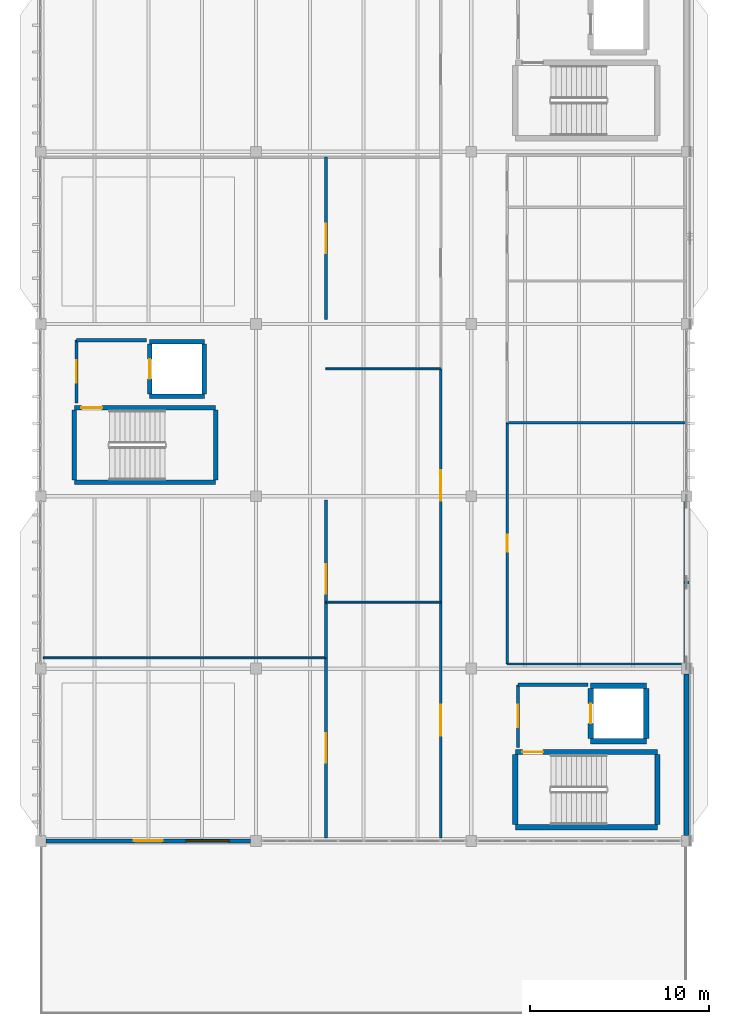
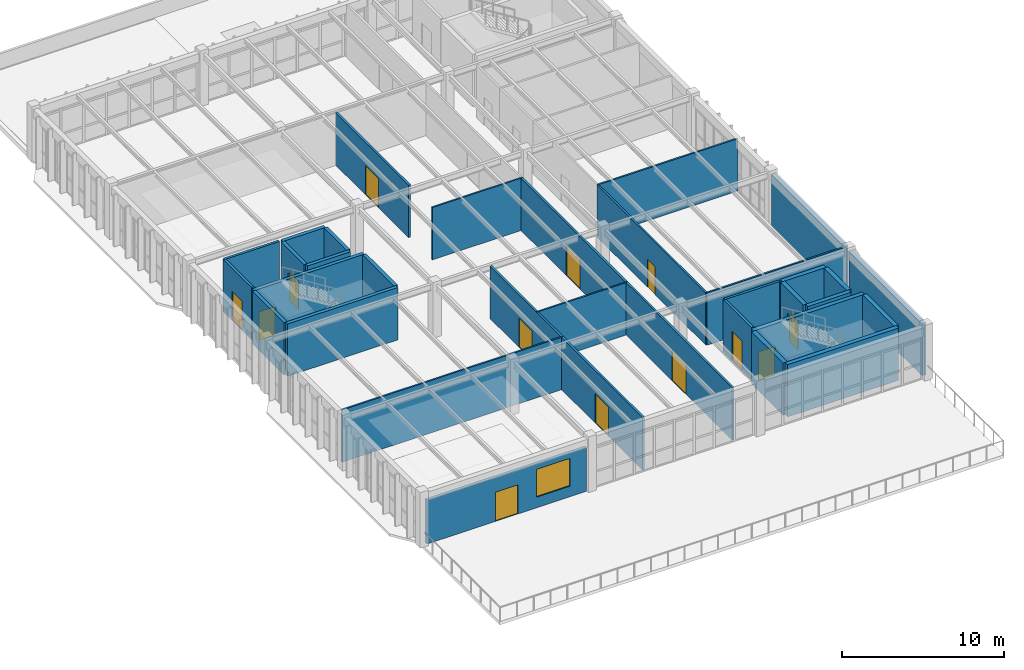
# One storey, part 32 of 37: 34 walls, 13 doors, 1 window, 14 openings.
"""IFC4 building model written with IfcOpenShell, lengths in metres."""

import ifcopenshell
import ifcopenshell.guid

model = None  # the IFC model being written
_history = None  # IfcOwnerHistory: only IFC2X3 demands one
_inside = {}  # id of a spatial element -> (the spatial element, [elements in it])
_under = {}  # id of a project, library or spatial element -> (it, [spatial elements below it])
_declared = {}  # id of a project -> (the project, [libraries it declares])
_typed = {}  # id of a type object -> (the type object, [elements of that type])
_made_of = {}  # id of a material, layer set ... -> (it, [elements and type objects made of it])


def new_model(schema):
    """Start an empty IFC model of exactly this schema.

    Asked for "IFC4X3", IfcOpenShell would pick the latest addendum, in which some entities
    have other attributes; the version numbers below select the first issue.
    IFC2X3 requires an IfcOwnerHistory on every rooted entity: one is made here for all.
    """
    global model, _history
    if schema == "IFC4X3":
        model = ifcopenshell.file(schema_version=(4, 3, 0, 0))
    else:
        model = ifcopenshell.file(schema=schema)
    _inside.clear()
    _under.clear()
    _declared.clear()
    _typed.clear()
    _made_of.clear()
    _history = None
    if model.schema == "IFC2X3":
        org = make("IfcOrganization", Name="unknown")
        user = make(
            "IfcPersonAndOrganization",
            ThePerson=make("IfcPerson", FamilyName="unknown"),
            TheOrganization=org,
        )
        app = make(
            "IfcApplication",
            ApplicationDeveloper=org,
            Version="unknown",
            ApplicationFullName="unknown",
            ApplicationIdentifier="unknown",
        )
        _history = make(
            "IfcOwnerHistory",
            OwningUser=user,
            OwningApplication=app,
            ChangeAction="ADDED",
            CreationDate=0,
        )
    return model


def make(cls, **values):
    """One entity of the class cls with the attributes given. An attribute that is None is left unset."""
    return model.create_entity(
        cls, **{name: value for name, value in values.items() if value is not None}
    )


def rooted(cls, **values):
    """An entity with a GlobalId (a new one), such as an element, a storey or a relation."""
    return make(cls, GlobalId=ifcopenshell.guid.new(), OwnerHistory=_history, **values)


def si_unit(unit_type, name, prefix=None):
    """IfcSIUnit, for example si_unit("LENGTHUNIT", "METRE", prefix="MILLI")."""
    return make("IfcSIUnit", UnitType=unit_type, Prefix=prefix, Name=name)


def assignment(units):
    """IfcUnitAssignment: the units of a project."""
    return None if units is None else make("IfcUnitAssignment", Units=units)


def point(xyz):
    """IfcCartesianPoint."""
    return None if xyz is None else make("IfcCartesianPoint", Coordinates=xyz)


def direction(xyz):
    """IfcDirection."""
    return None if xyz is None else make("IfcDirection", DirectionRatios=xyz)


def frame(location, z_axis=None, x_axis=None):
    """IfcAxis2Placement3D, a coordinate frame: its origin and axes. An axis left out is left unset."""
    return make(
        "IfcAxis2Placement3D",
        Location=point(location),
        Axis=direction(z_axis),
        RefDirection=direction(x_axis),
    )


def frame_2d(location, x_axis=None):
    """IfcAxis2Placement2D, a coordinate frame in the plane: its origin and x axis."""
    return make(
        "IfcAxis2Placement2D", Location=point(location), RefDirection=direction(x_axis)
    )


def origin():
    """The frame at (0, 0, 0) with its axes left unset."""
    return frame((0.0, 0.0, 0.0))


def place(relative_to, where):
    """IfcLocalPlacement: puts the frame where relative to a parent placement (None: the world)."""
    return make(
        "IfcLocalPlacement", PlacementRelTo=relative_to, RelativePlacement=where
    )


def context(
    kind, dimensions, precision=None, world=None, true_north=None, identifier=None
):
    """IfcGeometricRepresentationContext, for example the 3D "Model" context."""
    return make(
        "IfcGeometricRepresentationContext",
        ContextIdentifier=identifier,
        ContextType=kind,
        CoordinateSpaceDimension=dimensions,
        Precision=precision,
        WorldCoordinateSystem=world,
        TrueNorth=true_north,
    )


def subcontext(parent, identifier, kind, view, scale=None):
    """IfcGeometricRepresentationSubContext, for example "Body" below "Model"."""
    return make(
        "IfcGeometricRepresentationSubContext",
        ContextIdentifier=identifier,
        ContextType=kind,
        ParentContext=parent,
        TargetScale=scale,
        TargetView=view,
    )


def project(units=None, contexts=None):
    """IfcProject with its units and contexts."""
    return rooted(
        "IfcProject",
        Name="project",
        RepresentationContexts=contexts,
        UnitsInContext=assignment(units),
    )


def spatial(cls, under=None, at=None, **own):
    """A site, building, storey or space (cls), placed at a placement, below another one or the project."""
    s = rooted(cls, ObjectPlacement=at, **own)
    if under is not None:
        _under.setdefault(under.id(), (under, []))[1].append(s)
    return s


def profile(cls, at=None, kind="AREA", **sizes):
    """A parametric profile (cls). Its sizes go by their IFC names, for example OverallWidth=200.0."""
    return make(cls, ProfileType=kind, Position=at, **sizes)


def rectangle(**sizes):
    """IfcRectangleProfileDef."""
    return profile("IfcRectangleProfileDef", **sizes)


def extrude(swept, where, along, depth):
    """IfcExtrudedAreaSolid: the profile swept, set in the frame where, extruded along a direction by depth."""
    return make(
        "IfcExtrudedAreaSolid",
        SweptArea=swept,
        Position=where,
        ExtrudedDirection=direction(along),
        Depth=depth,
    )


def shape(context_of_items, identifier, shape_type, items):
    """IfcShapeRepresentation: the items that make up one representation, for example the "Body"."""
    return make(
        "IfcShapeRepresentation",
        ContextOfItems=context_of_items,
        RepresentationIdentifier=identifier,
        RepresentationType=shape_type,
        Items=items,
    )


def material(Name=None, Category=None):
    """IfcMaterial."""
    return make("IfcMaterial", Name=Name, Category=Category)


def layer(
    of_material, thickness, ventilated=None, Name=None, Category=None, Priority=None
):
    """IfcMaterialLayer: one layer of a wall or slab, of a material (None: an air gap)."""
    return make(
        "IfcMaterialLayer",
        Material=of_material,
        LayerThickness=thickness,
        IsVentilated=ventilated,
        Name=Name,
        Category=Category,
        Priority=Priority,
    )


def layer_set(layers, Name=None):
    """IfcMaterialLayerSet."""
    return make("IfcMaterialLayerSet", MaterialLayers=layers, LayerSetName=Name)


def made_of(thing, what):
    """Note that an element or type object is made of a material, layer set ...; save() writes the relation."""
    if what is not None:
        _made_of.setdefault(what.id(), (what, []))[1].append(thing)
    return thing


def type_object(cls, material=None, **own):
    """A type object (cls), such as IfcWallType, which elements share."""
    return made_of(rooted(cls, **own), material)


def element(
    cls,
    number,
    at=None,
    inside=None,
    cuts=None,
    type_object=None,
    material=None,
    context=None,
    identifier="Body",
    shape_type=None,
    held_by="IfcProductDefinitionShape",
    body=None,
    shapes=None,
    **own,
):
    """One element of the class cls, such as IfcWall. Its Tag is "e" and its number.

    at: its placement. inside: the storey or other place that contains it. cuts: it is an
    opening in that element (IfcRelVoidsElement). A single representation is given by context,
    identifier, shape_type and body (its items); several are given by shapes. held_by: the class
    of the entity that holds the representations. save() writes the other relations.
    """
    e = rooted(cls, Tag="e%d" % number, ObjectPlacement=at, **own)
    if body is not None:
        shapes = [shape(context, identifier, shape_type, body)]
    if shapes is not None:
        e.Representation = make(held_by, Representations=shapes)
    if inside is not None:
        _inside.setdefault(inside.id(), (inside, []))[1].append(e)
    if cuts is not None:
        rooted(
            "IfcRelVoidsElement", RelatingBuildingElement=cuts, RelatedOpeningElement=e
        )
    if type_object is not None:
        _typed.setdefault(type_object.id(), (type_object, []))[1].append(e)
    return made_of(e, material)


def fill(opening, filler):
    """IfcRelFillsElement: the door or window that sits in an opening."""
    return rooted(
        "IfcRelFillsElement",
        RelatingOpeningElement=opening,
        RelatedBuildingElement=filler,
    )


def aggregate(whole, parts):
    """IfcRelAggregates: a whole, such as a stair, and the parts it consists of."""
    return rooted("IfcRelAggregates", RelatingObject=whole, RelatedObjects=parts)


def save(model, path):
    """Write the relations noted so far, then the file.

    IfcRelAggregates (storeys below a building ...), IfcRelContainedInSpatialStructure (elements
    in a storey), IfcRelDefinesByType, IfcRelAssociatesMaterial and IfcRelDeclares: one each for
    every whole, place, type object, material and project.
    """
    for whole, parts in _under.values():
        aggregate(whole, parts)
    for where, things in _inside.values():
        rooted(
            "IfcRelContainedInSpatialStructure",
            RelatedElements=things,
            RelatingStructure=where,
        )
    for kind, things in _typed.values():
        rooted("IfcRelDefinesByType", RelatedObjects=things, RelatingType=kind)
    for what, things in _made_of.values():
        rooted("IfcRelAssociatesMaterial", RelatedObjects=things, RelatingMaterial=what)
    for by, libraries in _declared.values():
        rooted("IfcRelDeclares", RelatingContext=by, RelatedDefinitions=libraries)
    model.write(path)


model = new_model("IFC4")

# Units and contexts
model_context = context("Model", 3, precision=1e-05, world=origin(), true_north=direction((0.0, 1.0)))
body_context = subcontext(model_context, "Body", "Model", "MODEL_VIEW")
ifc_project = project(units=[si_unit("LENGTHUNIT", "METRE"), si_unit("AREAUNIT", "SQUARE_METRE"), si_unit("VOLUMEUNIT", "CUBIC_METRE"), si_unit("PLANEANGLEUNIT", "RADIAN"), si_unit("MASSUNIT", "GRAM", prefix="KILO")], contexts=[model_context])

# Site, building, storey
site_placement = place(None, origin())
site = spatial("IfcSite", under=ifc_project, at=site_placement, CompositionType="ELEMENT")
building_placement = place(site_placement, origin())
building = spatial("IfcBuilding", under=site, at=building_placement, Name="Pandanus Reach Market Hall", CompositionType="ELEMENT")
storey_placement = place(building_placement, frame((0.0, 0.0, 14.39990234375)))
storey = spatial("IfcBuildingStorey", under=building, at=storey_placement, Name="L03", CompositionType="ELEMENT", Elevation=14.39990234375)

# Wall
ifc_material_1 = material(Name="Concrete N40 (40 MPa)", Category="concrete")
ifc_layer_1 = layer(ifc_material_1, 0.25, Name="WL-CORE-250")
ifc_layer_set_1 = layer_set([ifc_layer_1], Name="Concrete N40 (40 MPa)")
wall_type_1 = type_object("IfcWallType", Name="WL-CORE-250", PredefinedType="SHEAR", material=ifc_layer_set_1)
wall_1_placement = place(storey_placement, frame((145.875, 48.77490234375, 0.0), z_axis=(0.0, 0.0, 1.0), x_axis=(1.0, 0.0, 0.0)))
element("IfcWall", 1, at=wall_1_placement, inside=storey, type_object=wall_type_1, Name="Internal wall WL-CORE-250 WL-0310", PredefinedType="SHEAR", context=body_context, shape_type="SweptSolid", body=[
    extrude(rectangle(XDim=7.8701171875, YDim=0.25, at=frame_2d((3.93505859375, 0.0))), origin(), (0.0, 0.0, 1.0), 3.9501953125),
])

# Wall, opening, door
wall_2_placement = place(storey_placement, frame((145.875, 52.925048828125, 0.0), z_axis=(0.0, 0.0, 1.0), x_axis=(1.0, 0.0, 0.0)))
wall_2 = element("IfcWall", 2, at=wall_2_placement, inside=storey, type_object=wall_type_1, Name="Internal wall WL-CORE-250 WL-0311", PredefinedType="SHEAR", context=body_context, shape_type="SweptSolid", body=[
    extrude(rectangle(XDim=7.8701171875, YDim=0.25, at=frame_2d((3.93505859375, 0.0))), origin(), (0.0, 0.0, 1.0), 3.9501953125),
])
opening_1_placement = place(wall_2_placement, frame((0.39990234375, 0.0, 0.0)))
opening_1 = element("IfcOpeningElement", 3, at=opening_1_placement, cuts=wall_2, Name="Opening DR-FD1", PredefinedType="OPENING", context=body_context, shape_type="SweptSolid", body=[
    extrude(rectangle(XDim=1.14990234375, YDim=2.14990234375, at=frame_2d((0.574951171875, 1.074951171875))), frame((0.0, 0.139892578125, 0.0), z_axis=(0.0, -1.0, 0.0), x_axis=(1.0, 0.0, 0.0)), (0.0, 0.0, 1.0), 0.280029296875),
])
ifc_material_2 = material(Name="Fire-rated steel door", Category="steel")
door_type_1 = type_object("IfcDoorType", Name="DR-FD1", OperationType="NOTDEFINED", PredefinedType="DOOR", material=ifc_material_2)
door_1_placement = place(opening_1_placement, frame((1.14990234375, 0.0, 0.0), z_axis=(0.0, 0.0, 1.0), x_axis=(-1.0, 0.0, 0.0)))
door_1 = element("IfcDoor", 4, at=door_1_placement, inside=storey, type_object=door_type_1, Name="Fire stair door ST-03 L03", OperationType="SINGLE_SWING_RIGHT", OverallHeight=2.14990234375, OverallWidth=1.14990234375, PredefinedType="DOOR", context=body_context, shape_type="SweptSolid", body=[
    extrude(rectangle(XDim=1.14990234375, YDim=2.14990234375, at=frame_2d((0.574951171875, 1.074951171875))), frame((0.0, 0.02490234375, 0.0), z_axis=(0.0, -1.0, 0.0), x_axis=(1.0, 0.0, 0.0)), (0.0, 0.0, 1.0), 0.050048828125),
])
fill(opening_1, door_1)

# Walls
for number, where, z_axis, x_axis, name in (
    (5, (145.875, 48.89990234375, 0.0), (0.0, 0.0, 1.0), (0.0, 1.0, 0.0), "Internal wall WL-CORE-250 WL-0312"),
    (6, (153.7451171875, 48.89990234375, 0.0), (0.0, 0.0, 1.0), (0.0, 1.0, 0.0), "Internal wall WL-CORE-250 WL-0313"),
):
    element("IfcWall", number, at=place(storey_placement, frame(where, z_axis=z_axis, x_axis=x_axis)), inside=storey, type_object=wall_type_1, Name=name, PredefinedType="SHEAR", context=body_context, shape_type="SweptSolid", body=[
        extrude(rectangle(XDim=3.900146484375, YDim=0.25, at=frame_2d((1.9501953125, 0.0))), origin(), (0.0, 0.0, 1.0), 3.9501953125),
    ])
for number, where, z_axis, x_axis, name in (
    (7, (150.074951171875, 53.574951171875, 0.0), (0.0, 0.0, 1.0), (1.0, 0.0, 0.0), "Internal wall WL-CORE-250 WL-0314"),
    (8, (150.074951171875, 56.625, 0.0), (0.0, 0.0, 1.0), (1.0, 0.0, 0.0), "Internal wall WL-CORE-250 WL-0315"),
):
    element("IfcWall", number, at=place(storey_placement, frame(where, z_axis=z_axis, x_axis=x_axis)), inside=storey, type_object=wall_type_1, Name=name, PredefinedType="SHEAR", context=body_context, shape_type="SweptSolid", body=[
        extrude(rectangle(XDim=3.050048828125, YDim=0.25, at=frame_2d((1.52490234375, 0.0))), origin(), (0.0, 0.0, 1.0), 3.9501953125),
    ])
wall_3_placement = place(storey_placement, frame((153.125, 53.699951171875, 0.0), z_axis=(0.0, 0.0, 1.0), x_axis=(0.0, 1.0, 0.0)))
element("IfcWall", 9, at=wall_3_placement, inside=storey, type_object=wall_type_1, Name="Internal wall WL-CORE-250 WL-0316", PredefinedType="SHEAR", context=body_context, shape_type="SweptSolid", body=[
    extrude(rectangle(XDim=2.800048828125, YDim=0.25, at=frame_2d((1.39990234375, 0.0))), origin(), (0.0, 0.0, 1.0), 3.9501953125),
])

# Wall, opening, door
wall_4_placement = place(storey_placement, frame((150.074951171875, 53.699951171875, 0.0), z_axis=(0.0, 0.0, 1.0), x_axis=(0.0, 1.0, 0.0)))
wall_4 = element("IfcWall", 10, at=wall_4_placement, inside=storey, type_object=wall_type_1, Name="Internal wall WL-CORE-250 WL-0317", PredefinedType="SHEAR", context=body_context, shape_type="SweptSolid", body=[
    extrude(rectangle(XDim=2.800048828125, YDim=0.25, at=frame_2d((1.39990234375, 0.0))), origin(), (0.0, 0.0, 1.0), 3.9501953125),
])
opening_2_placement = place(wall_4_placement, frame((0.85009765625, 0.0, 0.0)))
opening_2 = element("IfcOpeningElement", 11, at=opening_2_placement, cuts=wall_4, Name="Opening LD-01", PredefinedType="OPENING", context=body_context, shape_type="SweptSolid", body=[
    extrude(rectangle(XDim=1.10009765625, YDim=2.14990234375, at=frame_2d((0.550048828125, 1.074951171875))), frame((0.0, 0.139892578125, 0.0), z_axis=(0.0, -1.0, 0.0), x_axis=(1.0, 0.0, 0.0)), (0.0, 0.0, 1.0), 0.280029296875),
])
ifc_material_3 = material(Name="Stainless steel lift landing door", Category="steel")
door_type_2 = type_object("IfcDoorType", Name="LD-01", OperationType="SLIDING_TO_LEFT", PredefinedType="DOOR", material=ifc_material_3)
door_2_placement = place(opening_2_placement, origin())
door_2 = element("IfcDoor", 12, at=door_2_placement, inside=storey, type_object=door_type_2, Name="Lift landing door LF-03 LD-01 51", OperationType="SLIDING_TO_LEFT", OverallHeight=2.14990234375, OverallWidth=1.10009765625, PredefinedType="DOOR", context=body_context, shape_type="SweptSolid", body=[
    extrude(rectangle(XDim=1.10009765625, YDim=2.14990234375, at=frame_2d((0.550048828125, 1.074951171875))), frame((0.0, 0.02490234375, 0.0), z_axis=(0.0, -1.0, 0.0), x_axis=(1.0, 0.0, 0.0)), (0.0, 0.0, 1.0), 0.050048828125),
])
fill(opening_2, door_2)

# Wall
ifc_layer_2 = layer(ifc_material_1, 0.300048828125, Name="WL-CORE-300")
ifc_layer_set_2 = layer_set([ifc_layer_2], Name="Concrete N40 (40 MPa)")
wall_type_2 = type_object("IfcWallType", Name="WL-CORE-300", PredefinedType="SHEAR", material=ifc_layer_set_2)
wall_5_placement = place(storey_placement, frame((170.449951171875, 29.550048828125, 0.0), z_axis=(0.0, 0.0, 1.0), x_axis=(1.0, 0.0, 0.0)))
element("IfcWall", 13, at=wall_5_placement, inside=storey, type_object=wall_type_2, Name="Internal wall WL-CORE-300 WL-0190", PredefinedType="SHEAR", context=body_context, shape_type="SweptSolid", body=[
    extrude(rectangle(XDim=7.920166015625, YDim=0.300048828125, at=frame_2d((3.9599609375, 0.0))), origin(), (0.0, 0.0, 1.0), 3.9501953125),
])

# Wall, opening, door
wall_6_placement = place(storey_placement, frame((170.449951171875, 33.75, 0.0), z_axis=(0.0, 0.0, 1.0), x_axis=(1.0, 0.0, 0.0)))
wall_6 = element("IfcWall", 14, at=wall_6_placement, inside=storey, type_object=wall_type_2, Name="Internal wall WL-CORE-300 WL-0191", PredefinedType="SHEAR", context=body_context, shape_type="SweptSolid", body=[
    extrude(rectangle(XDim=7.920166015625, YDim=0.300048828125, at=frame_2d((3.9599609375, 0.0))), origin(), (0.0, 0.0, 1.0), 3.9501953125),
])
opening_3_placement = place(wall_6_placement, frame((0.39990234375, 0.0, 0.0)))
opening_3 = element("IfcOpeningElement", 15, at=opening_3_placement, cuts=wall_6, Name="Opening DR-FD1", PredefinedType="OPENING", context=body_context, shape_type="SweptSolid", body=[
    extrude(rectangle(XDim=1.14990234375, YDim=2.14990234375, at=frame_2d((0.574951171875, 1.074951171875))), frame((0.0, 0.1650390625, 0.0), z_axis=(0.0, -1.0, 0.0), x_axis=(1.0, 0.0, 0.0)), (0.0, 0.0, 1.0), 0.330078125),
])
door_3_placement = place(opening_3_placement, frame((1.14990234375, 0.0, 0.0), z_axis=(0.0, 0.0, 1.0), x_axis=(-1.0, 0.0, 0.0)))
door_3 = element("IfcDoor", 16, at=door_3_placement, inside=storey, type_object=door_type_1, Name="Fire stair door ST-01 L03", OperationType="SINGLE_SWING_RIGHT", OverallHeight=2.14990234375, OverallWidth=1.14990234375, PredefinedType="DOOR", context=body_context, shape_type="SweptSolid", body=[
    extrude(rectangle(XDim=1.14990234375, YDim=2.14990234375, at=frame_2d((0.574951171875, 1.074951171875))), frame((0.0, 0.02490234375, 0.0), z_axis=(0.0, -1.0, 0.0), x_axis=(1.0, 0.0, 0.0)), (0.0, 0.0, 1.0), 0.050048828125),
])
fill(opening_3, door_3)

# Walls
for number, where, z_axis, x_axis, name in (
    (17, (170.449951171875, 29.699951171875, 0.0), (0.0, 0.0, 1.0), (0.0, 1.0, 0.0), "Internal wall WL-CORE-300 WL-0192"),
    (18, (178.3701171875, 29.699951171875, 0.0), (0.0, 0.0, 1.0), (0.0, 1.0, 0.0), "Internal wall WL-CORE-300 WL-0193"),
):
    element("IfcWall", number, at=place(storey_placement, frame(where, z_axis=z_axis, x_axis=x_axis)), inside=storey, type_object=wall_type_2, Name=name, PredefinedType="SHEAR", context=body_context, shape_type="SweptSolid", body=[
        extrude(rectangle(XDim=3.900146484375, YDim=0.300048828125, at=frame_2d((1.9501953125, 0.0))), origin(), (0.0, 0.0, 1.0), 3.9501953125),
    ])
for number, where, z_axis, x_axis, name in (
    (19, (174.64990234375, 34.35009765625, 0.0), (0.0, 0.0, 1.0), (1.0, 0.0, 0.0), "Internal wall WL-CORE-300 WL-0194"),
    (20, (174.64990234375, 37.449951171875, 0.0), (0.0, 0.0, 1.0), (1.0, 0.0, 0.0), "Internal wall WL-CORE-300 WL-0195"),
):
    element("IfcWall", number, at=place(storey_placement, frame(where, z_axis=z_axis, x_axis=x_axis)), inside=storey, type_object=wall_type_2, Name=name, PredefinedType="SHEAR", context=body_context, shape_type="SweptSolid", body=[
        extrude(rectangle(XDim=3.10009765625, YDim=0.300048828125, at=frame_2d((1.550048828125, 0.0))), origin(), (0.0, 0.0, 1.0), 3.9501953125),
    ])
wall_7_placement = place(storey_placement, frame((177.75, 34.5, 0.0), z_axis=(0.0, 0.0, 1.0), x_axis=(0.0, 1.0, 0.0)))
element("IfcWall", 21, at=wall_7_placement, inside=storey, type_object=wall_type_2, Name="Internal wall WL-CORE-300 WL-0196", PredefinedType="SHEAR", context=body_context, shape_type="SweptSolid", body=[
    extrude(rectangle(XDim=2.800048828125, YDim=0.300048828125, at=frame_2d((1.39990234375, 0.0))), origin(), (0.0, 0.0, 1.0), 3.9501953125),
])

# Wall, opening, door
wall_8_placement = place(storey_placement, frame((174.64990234375, 34.5, 0.0), z_axis=(0.0, 0.0, 1.0), x_axis=(0.0, 1.0, 0.0)))
wall_8 = element("IfcWall", 22, at=wall_8_placement, inside=storey, type_object=wall_type_2, Name="Internal wall WL-CORE-300 WL-0197", PredefinedType="SHEAR", context=body_context, shape_type="SweptSolid", body=[
    extrude(rectangle(XDim=2.800048828125, YDim=0.300048828125, at=frame_2d((1.39990234375, 0.0))), origin(), (0.0, 0.0, 1.0), 3.9501953125),
])
opening_4_placement = place(wall_8_placement, frame((0.85009765625, 0.0, 0.0)))
opening_4 = element("IfcOpeningElement", 23, at=opening_4_placement, cuts=wall_8, Name="Opening LD-01", PredefinedType="OPENING", context=body_context, shape_type="SweptSolid", body=[
    extrude(rectangle(XDim=1.10009765625, YDim=2.14990234375, at=frame_2d((0.550048828125, 1.074951171875))), frame((0.0, 0.1650390625, 0.0), z_axis=(0.0, -1.0, 0.0), x_axis=(1.0, 0.0, 0.0)), (0.0, 0.0, 1.0), 0.330078125),
])
door_4_placement = place(opening_4_placement, origin())
door_4 = element("IfcDoor", 24, at=door_4_placement, inside=storey, type_object=door_type_2, Name="Lift landing door LF-01 LD-01 15", OperationType="SLIDING_TO_LEFT", OverallHeight=2.14990234375, OverallWidth=1.10009765625, PredefinedType="DOOR", context=body_context, shape_type="SweptSolid", body=[
    extrude(rectangle(XDim=1.10009765625, YDim=2.14990234375, at=frame_2d((0.550048828125, 1.074951171875))), frame((0.0, 0.02490234375, 0.0), z_axis=(0.0, -1.0, 0.0), x_axis=(1.0, 0.0, 0.0)), (0.0, 0.0, 1.0), 0.050048828125),
])
fill(opening_4, door_4)

# Wall, openings, door, window
ifc_material_4 = material(Name="Precast concrete S50 (50 MPa)", Category="concrete")
ifc_layer_3 = layer(ifc_material_4, 0.219970703125, Name="WL-EXT-220")
ifc_layer_set_3 = layer_set([ifc_layer_3], Name="Precast concrete S50 (50 MPa)")
wall_type_3 = type_object("IfcWallType", Name="WL-EXT-220", PredefinedType="SOLIDWALL", material=ifc_layer_set_3)
wall_9_placement = place(storey_placement, frame((144.300048828125, 28.800048828125, 0.0), z_axis=(0.0, 0.0, 1.0), x_axis=(1.0, 0.0, 0.0)))
wall_9 = element("IfcWall", 25, at=wall_9_placement, inside=storey, type_object=wall_type_3, Name="External wall WL-EXT-220 WL-0104", PredefinedType="SOLIDWALL", context=body_context, shape_type="SweptSolid", body=[
    extrude(rectangle(XDim=11.39990234375, YDim=0.219970703125, at=frame_2d((5.699951171875, 0.0))), origin(), (0.0, 0.0, 1.0), 3.301025390625),
])
opening_5_placement = place(wall_9_placement, frame((4.89990234375, 0.0, 0.0)))
opening_5 = element("IfcOpeningElement", 26, at=opening_5_placement, cuts=wall_9, Name="Opening TD-160", PredefinedType="OPENING", context=body_context, shape_type="SweptSolid", body=[
    extrude(rectangle(XDim=1.60009765625, YDim=2.199951171875, at=frame_2d((0.800048828125, 1.10009765625))), frame((0.0, 0.125, 0.0), z_axis=(0.0, -1.0, 0.0), x_axis=(1.0, 0.0, 0.0)), (0.0, 0.0, 1.0), 0.25),
])
opening_6_placement = place(wall_9_placement, frame((7.800048828125, 0.0, 0.800048828125)))
opening_6 = element("IfcOpeningElement", 27, at=opening_6_placement, cuts=wall_9, Name="Opening WN-12", PredefinedType="OPENING", context=body_context, shape_type="SweptSolid", body=[
    extrude(rectangle(XDim=2.39990234375, YDim=2.10009765625, at=frame_2d((1.199951171875, 1.050048828125))), frame((0.0, 0.125, 0.0), z_axis=(0.0, -1.0, 0.0), x_axis=(1.0, 0.0, 0.0)), (0.0, 0.0, 1.0), 0.25),
])
ifc_material_5 = material(Name="Bronze anodised aluminium", Category="aluminium")
door_type_3 = type_object("IfcDoorType", Name="TD-160", OperationType="DOUBLE_DOOR_SINGLE_SWING", PredefinedType="DOOR", material=ifc_material_5)
door_5_placement = place(opening_5_placement, frame((1.60009765625, 0.0, 0.0), z_axis=(0.0, 0.0, 1.0), x_axis=(-1.0, 0.0, 0.0)))
door_5 = element("IfcDoor", 28, at=door_5_placement, inside=storey, type_object=door_type_3, Name="Roof garden terrace door L03 TD-160 36", OperationType="DOUBLE_DOOR_SINGLE_SWING", OverallHeight=2.199951171875, OverallWidth=1.60009765625, PredefinedType="DOOR", context=body_context, shape_type="SweptSolid", body=[
    extrude(rectangle(XDim=1.60009765625, YDim=2.199951171875, at=frame_2d((0.800048828125, 1.10009765625))), frame((0.0, 0.02490234375, 0.0), z_axis=(0.0, -1.0, 0.0), x_axis=(1.0, 0.0, 0.0)), (0.0, 0.0, 1.0), 0.050048828125),
])
fill(opening_5, door_5)
ifc_material_6 = material(Name="Solar-control double glazing", Category="glass")
window_type = type_object("IfcWindowType", Name="WN-12", PartitioningType="SINGLE_PANEL", PredefinedType="WINDOW", material=ifc_material_6)
window_placement = place(opening_6_placement, origin())
window = element("IfcWindow", 29, at=window_placement, inside=storey, type_object=window_type, Name="Window WN-12 51", OverallHeight=2.10009765625, OverallWidth=2.39990234375, PartitioningType="SINGLE_PANEL", PredefinedType="WINDOW", context=body_context, shape_type="SweptSolid", body=[
    extrude(rectangle(XDim=2.39990234375, YDim=2.10009765625, at=frame_2d((1.199951171875, 1.050048828125))), frame((0.0, 0.030029296875, 0.0), z_axis=(0.0, -1.0, 0.0), x_axis=(1.0, 0.0, 0.0)), (0.0, 0.0, 1.0), 0.06005859375),
])
fill(opening_6, window)

# Walls
ifc_layer_4 = layer(ifc_material_4, 0.280029296875, Name="WL-EXT-280")
ifc_layer_set_4 = layer_set([ifc_layer_4], Name="Precast concrete S50 (50 MPa)")
wall_type_4 = type_object("IfcWallType", Name="WL-EXT-280", PredefinedType="SOLIDWALL", material=ifc_layer_set_4)
for number, where, z_axis, x_axis, name in (
    (30, (180.0, 29.10009765625, 0.0), (0.0, 0.0, 1.0), (0.0, 1.0, 0.0), "External wall WL-EXT-280 WL-0105"),
    (31, (180.0, 38.699951171875, 0.0), (0.0, 0.0, 1.0), (0.0, 1.0, 0.0), "External wall WL-EXT-280 WL-0106"),
):
    element("IfcWall", number, at=place(storey_placement, frame(where, z_axis=z_axis, x_axis=x_axis)), inside=storey, type_object=wall_type_4, Name=name, PredefinedType="SOLIDWALL", context=body_context, shape_type="SweptSolid", body=[
        extrude(rectangle(XDim=9.0, YDim=0.280029296875, at=frame_2d((4.5, 0.0))), origin(), (0.0, 0.0, 1.0), 3.900146484375),
    ])

# Wall, opening, door
ifc_layer_5 = layer(ifc_material_1, 0.175048828125, Name="WL-LOB-175")
ifc_layer_set_5 = layer_set([ifc_layer_5], Name="Concrete N40 (40 MPa)")
wall_type_5 = type_object("IfcWallType", Name="WL-LOB-175", PredefinedType="PARTITIONING", material=ifc_layer_set_5)
wall_10_placement = place(storey_placement, frame((170.60009765625, 34.0, 0.0), z_axis=(0.0, 0.0, 1.0), x_axis=(0.0, 1.0, 0.0)))
wall_10 = element("IfcWall", 32, at=wall_10_placement, inside=storey, type_object=wall_type_5, Name="Internal wall WL-LOB-175 WL-0198", PredefinedType="PARTITIONING", context=body_context, shape_type="SweptSolid", body=[
    extrude(rectangle(XDim=3.5, YDim=0.175048828125, at=frame_2d((1.75, 0.0))), origin(), (0.0, 0.0, 1.0), 3.9501953125),
])
opening_7_placement = place(wall_10_placement, frame((1.125, 0.0, 0.0)))
opening_7 = element("IfcOpeningElement", 33, at=opening_7_placement, cuts=wall_10, Name="Opening DR-FD2", PredefinedType="OPENING", context=body_context, shape_type="SweptSolid", body=[
    extrude(rectangle(XDim=1.25, YDim=2.199951171875, at=frame_2d((0.625, 1.10009765625))), frame((0.0, 0.1025390625, 0.0), z_axis=(0.0, -1.0, 0.0), x_axis=(1.0, 0.0, 0.0)), (0.0, 0.0, 1.0), 0.205078125),
])
door_type_4 = type_object("IfcDoorType", Name="DR-FD2", OperationType="NOTDEFINED", PredefinedType="DOOR", material=ifc_material_2)
door_6_placement = place(opening_7_placement, frame((1.25, 0.0, 0.0), z_axis=(0.0, 0.0, 1.0), x_axis=(-1.0, 0.0, 0.0)))
door_6 = element("IfcDoor", 34, at=door_6_placement, inside=storey, type_object=door_type_4, Name="Core C1 lobby fire door DR-FD2 16", OperationType="SINGLE_SWING_LEFT", OverallHeight=2.199951171875, OverallWidth=1.25, PredefinedType="DOOR", context=body_context, shape_type="SweptSolid", body=[
    extrude(rectangle(XDim=1.25, YDim=2.199951171875, at=frame_2d((0.625, 1.10009765625))), frame((0.0, 0.02490234375, 0.0), z_axis=(0.0, -1.0, 0.0), x_axis=(1.0, 0.0, 0.0)), (0.0, 0.0, 1.0), 0.050048828125),
])
fill(opening_7, door_6)

# Wall
wall_11_placement = place(storey_placement, frame((170.60009765625, 37.5, 0.0), z_axis=(0.0, 0.0, 1.0), x_axis=(1.0, 0.0, 0.0)))
element("IfcWall", 35, at=wall_11_placement, inside=storey, type_object=wall_type_5, Name="Internal wall WL-LOB-175 WL-0199", PredefinedType="PARTITIONING", context=body_context, shape_type="SweptSolid", body=[
    extrude(rectangle(XDim=3.89990234375, YDim=0.175048828125, at=frame_2d((1.949951171875, 0.0))), origin(), (0.0, 0.0, 1.0), 3.9501953125),
])

# Wall, opening, door
wall_12_placement = place(storey_placement, frame((146.0, 53.199951171875, 0.0), z_axis=(0.0, 0.0, 1.0), x_axis=(0.0, 1.0, 0.0)))
wall_12 = element("IfcWall", 36, at=wall_12_placement, inside=storey, type_object=wall_type_5, Name="Internal wall WL-LOB-175 WL-0318", PredefinedType="PARTITIONING", context=body_context, shape_type="SweptSolid", body=[
    extrude(rectangle(XDim=3.5, YDim=0.175048828125, at=frame_2d((1.75, 0.0))), origin(), (0.0, 0.0, 1.0), 3.9501953125),
])
opening_8_placement = place(wall_12_placement, frame((1.125, 0.0, 0.0)))
opening_8 = element("IfcOpeningElement", 37, at=opening_8_placement, cuts=wall_12, Name="Opening DR-FD2", PredefinedType="OPENING", context=body_context, shape_type="SweptSolid", body=[
    extrude(rectangle(XDim=1.25, YDim=2.199951171875, at=frame_2d((0.625, 1.10009765625))), frame((0.0, 0.1025390625, 0.0), z_axis=(0.0, -1.0, 0.0), x_axis=(1.0, 0.0, 0.0)), (0.0, 0.0, 1.0), 0.205078125),
])
door_7_placement = place(opening_8_placement, frame((1.25, 0.0, 0.0), z_axis=(0.0, 0.0, 1.0), x_axis=(-1.0, 0.0, 0.0)))
door_7 = element("IfcDoor", 38, at=door_7_placement, inside=storey, type_object=door_type_4, Name="Core C3 lobby fire door DR-FD2 52", OperationType="SINGLE_SWING_LEFT", OverallHeight=2.199951171875, OverallWidth=1.25, PredefinedType="DOOR", context=body_context, shape_type="SweptSolid", body=[
    extrude(rectangle(XDim=1.25, YDim=2.199951171875, at=frame_2d((0.625, 1.10009765625))), frame((0.0, 0.02490234375, 0.0), z_axis=(0.0, -1.0, 0.0), x_axis=(1.0, 0.0, 0.0)), (0.0, 0.0, 1.0), 0.050048828125),
])
fill(opening_8, door_7)

# Walls
wall_13_placement = place(storey_placement, frame((146.0, 56.699951171875, 0.0), z_axis=(0.0, 0.0, 1.0), x_axis=(1.0, 0.0, 0.0)))
element("IfcWall", 39, at=wall_13_placement, inside=storey, type_object=wall_type_5, Name="Internal wall WL-LOB-175 WL-0319", PredefinedType="PARTITIONING", context=body_context, shape_type="SweptSolid", body=[
    extrude(rectangle(XDim=3.89990234375, YDim=0.175048828125, at=frame_2d((1.949951171875, 0.0))), origin(), (0.0, 0.0, 1.0), 3.9501953125),
])
ifc_material_7 = material(Name="Acoustic operable timber-clad partition", Category="wood")
ifc_layer_6 = layer(ifc_material_7, 0.110107421875, Name="WL-MOV-110")
ifc_layer_set_6 = layer_set([ifc_layer_6], Name="Acoustic operable timber-clad partition")
wall_type_6 = type_object("IfcWallType", Name="WL-MOV-110", PredefinedType="MOVABLE", material=ifc_layer_set_6)
wall_14_placement = place(storey_placement, frame((144.14990234375, 39.0, 0.0), z_axis=(0.0, 0.0, 1.0), x_axis=(1.0, 0.0, 0.0)))
element("IfcWall", 40, at=wall_14_placement, inside=storey, type_object=wall_type_6, Name="Internal wall WL-MOV-110 WL-0563", PredefinedType="MOVABLE", context=body_context, shape_type="SweptSolid", body=[
    extrude(rectangle(XDim=15.75, YDim=0.110107421875, at=frame_2d((7.875, 0.0))), origin(), (0.0, 0.0, 1.0), 3.9501953125),
])
for number, where, z_axis, x_axis, name in (
    (41, (159.89990234375, 42.10009765625, 0.0), (0.0, 0.0, 1.0), (1.0, 0.0, 0.0), "Internal wall WL-MOV-110 WL-0569"),
    (42, (159.89990234375, 55.10009765625, 0.0), (0.0, 0.0, 1.0), (1.0, 0.0, 0.0), "Internal wall WL-MOV-110 WL-0570"),
):
    element("IfcWall", number, at=place(storey_placement, frame(where, z_axis=z_axis, x_axis=x_axis)), inside=storey, type_object=wall_type_6, Name=name, PredefinedType="MOVABLE", context=body_context, shape_type="SweptSolid", body=[
        extrude(rectangle(XDim=6.400146484375, YDim=0.110107421875, at=frame_2d((3.2001953125, 0.0))), origin(), (0.0, 0.0, 1.0), 3.9501953125),
    ])
ifc_material_8 = material(Name="Lightweight plasterboard stud partition", Category="gypsum")
ifc_layer_7 = layer(ifc_material_8, 0.1201171875, Name="WL-PRT-120")
ifc_layer_set_7 = layer_set([ifc_layer_7], Name="Lightweight plasterboard stud partition")
wall_type_7 = type_object("IfcWallType", Name="WL-PRT-120", PredefinedType="PARTITIONING", material=ifc_layer_set_7)
wall_15_placement = place(storey_placement, frame((170.0, 38.64990234375, 0.0), z_axis=(0.0, 0.0, 1.0), x_axis=(1.0, 0.0, 0.0)))
element("IfcWall", 43, at=wall_15_placement, inside=storey, type_object=wall_type_7, Name="Internal wall WL-PRT-120 WL-0572", PredefinedType="PARTITIONING", context=body_context, shape_type="SweptSolid", body=[
    extrude(rectangle(XDim=9.9599609375, YDim=0.1201171875, at=frame_2d((4.97998046875, 0.0))), origin(), (0.0, 0.0, 1.0), 3.9501953125),
])

# Wall, opening, door
wall_16_placement = place(storey_placement, frame((170.0, 38.64990234375, 0.0), z_axis=(0.0, 0.0, 1.0), x_axis=(0.0, 1.0, 0.0)))
wall_16 = element("IfcWall", 44, at=wall_16_placement, inside=storey, type_object=wall_type_7, Name="Internal wall WL-PRT-120 WL-0573", PredefinedType="PARTITIONING", context=body_context, shape_type="SweptSolid", body=[
    extrude(rectangle(XDim=13.4501953125, YDim=0.1201171875, at=frame_2d((6.72509765625, 0.0))), origin(), (0.0, 0.0, 1.0), 3.9501953125),
])
opening_9_placement = place(wall_16_placement, frame((6.25, 0.0, 0.0)))
opening_9 = element("IfcOpeningElement", 45, at=opening_9_placement, cuts=wall_16, Name="Opening DR-I09", PredefinedType="OPENING", context=body_context, shape_type="SweptSolid", body=[
    extrude(rectangle(XDim=0.949951171875, YDim=2.10009765625, at=frame_2d((0.47509765625, 1.050048828125))), frame((0.0, 0.074951171875, 0.0), z_axis=(0.0, -1.0, 0.0), x_axis=(1.0, 0.0, 0.0)), (0.0, 0.0, 1.0), 0.150146484375),
])
ifc_material_9 = material(Name="Solid-core hardwood timber door", Category="wood")
door_type_5 = type_object("IfcDoorType", Name="DR-I09", OperationType="NOTDEFINED", PredefinedType="DOOR", material=ifc_material_9)
door_8_placement = place(opening_9_placement, origin())
door_8 = element("IfcDoor", 46, at=door_8_placement, inside=storey, type_object=door_type_5, Name="Market administration office door DR-I09 169", OperationType="SINGLE_SWING_RIGHT", OverallHeight=2.10009765625, OverallWidth=0.949951171875, PredefinedType="DOOR", context=body_context, shape_type="SweptSolid", body=[
    extrude(rectangle(XDim=0.949951171875, YDim=2.10009765625, at=frame_2d((0.47509765625, 1.050048828125))), frame((0.0, 0.02490234375, 0.0), z_axis=(0.0, -1.0, 0.0), x_axis=(1.0, 0.0, 0.0)), (0.0, 0.0, 1.0), 0.050048828125),
])
fill(opening_9, door_8)

# Wall
wall_17_placement = place(storey_placement, frame((170.0, 52.10009765625, 0.0), z_axis=(0.0, 0.0, 1.0), x_axis=(1.0, 0.0, 0.0)))
element("IfcWall", 47, at=wall_17_placement, inside=storey, type_object=wall_type_7, Name="Internal wall WL-PRT-120 WL-0574", PredefinedType="PARTITIONING", context=body_context, shape_type="SweptSolid", body=[
    extrude(rectangle(XDim=9.9599609375, YDim=0.1201171875, at=frame_2d((4.97998046875, 0.0))), origin(), (0.0, 0.0, 1.0), 3.9501953125),
])

# Wall, opening, door
ifc_material_10 = material(Name="Acoustic plasterboard on steel framing", Category="steel")
ifc_layer_8 = layer(ifc_material_10, 0.14990234375, Name="WL-PRT-150")
ifc_layer_set_8 = layer_set([ifc_layer_8], Name="Acoustic plasterboard on steel framing")
wall_type_8 = type_object("IfcWallType", Name="WL-PRT-150", PredefinedType="PARTITIONING", material=ifc_layer_set_8)
wall_18_placement = place(storey_placement, frame((159.89990234375, 28.949951171875, 0.0), z_axis=(0.0, 0.0, 1.0), x_axis=(0.0, 1.0, 0.0)))
wall_18 = element("IfcWall", 48, at=wall_18_placement, inside=storey, type_object=wall_type_8, Name="Internal wall WL-PRT-150 WL-0561", PredefinedType="PARTITIONING", context=body_context, shape_type="SweptSolid", body=[
    extrude(rectangle(XDim=10.050048828125, YDim=0.14990234375, at=frame_2d((5.02490234375, 0.0))), origin(), (0.0, 0.0, 1.0), 3.9501953125),
])
opening_10_placement = place(wall_18_placement, frame((4.199951171875, 0.0, 0.0)))
opening_10 = element("IfcOpeningElement", 49, at=opening_10_placement, cuts=wall_18, Name="Opening DR-I16", PredefinedType="OPENING", context=body_context, shape_type="SweptSolid", body=[
    extrude(rectangle(XDim=1.64990234375, YDim=2.199951171875, at=frame_2d((0.824951171875, 1.10009765625))), frame((0.0, 0.08984375, 0.0), z_axis=(0.0, -1.0, 0.0), x_axis=(1.0, 0.0, 0.0)), (0.0, 0.0, 1.0), 0.179931640625),
])
ifc_material_11 = material(Name="Double glazed culinary studio door")
door_type_6 = type_object("IfcDoorType", Name="DR-I16", OperationType="DOUBLE_DOOR_SINGLE_SWING", PredefinedType="DOOR", material=ifc_material_11)
door_9_placement = place(opening_10_placement, origin())
door_9 = element("IfcDoor", 50, at=door_9_placement, inside=storey, type_object=door_type_6, Name="Teaching kitchen 1 door DR-I16 162", OperationType="DOUBLE_DOOR_SINGLE_SWING", OverallHeight=2.199951171875, OverallWidth=1.64990234375, PredefinedType="DOOR", context=body_context, shape_type="SweptSolid", body=[
    extrude(rectangle(XDim=1.64990234375, YDim=2.199951171875, at=frame_2d((0.824951171875, 1.10009765625))), frame((0.0, 0.02490234375, 0.0), z_axis=(0.0, -1.0, 0.0), x_axis=(1.0, 0.0, 0.0)), (0.0, 0.0, 1.0), 0.050048828125),
])
fill(opening_10, door_9)

wall_19_placement = place(storey_placement, frame((159.89990234375, 39.0, 0.0), z_axis=(0.0, 0.0, 1.0), x_axis=(0.0, 1.0, 0.0)))
wall_19 = element("IfcWall", 51, at=wall_19_placement, inside=storey, type_object=wall_type_8, Name="Internal wall WL-PRT-150 WL-0562", PredefinedType="PARTITIONING", context=body_context, shape_type="SweptSolid", body=[
    extrude(rectangle(XDim=8.800048828125, YDim=0.14990234375, at=frame_2d((4.39990234375, 0.0))), origin(), (0.0, 0.0, 1.0), 3.9501953125),
])
opening_11_placement = place(wall_19_placement, frame((3.574951171875, 0.0, 0.0)))
opening_11 = element("IfcOpeningElement", 52, at=opening_11_placement, cuts=wall_19, Name="Opening DR-I16", PredefinedType="OPENING", context=body_context, shape_type="SweptSolid", body=[
    extrude(rectangle(XDim=1.64990234375, YDim=2.199951171875, at=frame_2d((0.824951171875, 1.10009765625))), frame((0.0, 0.08984375, 0.0), z_axis=(0.0, -1.0, 0.0), x_axis=(1.0, 0.0, 0.0)), (0.0, 0.0, 1.0), 0.179931640625),
])
door_10_placement = place(opening_11_placement, origin())
door_10 = element("IfcDoor", 53, at=door_10_placement, inside=storey, type_object=door_type_6, Name="Teaching kitchen 2 door DR-I16 163", OperationType="DOUBLE_DOOR_SINGLE_SWING", OverallHeight=2.199951171875, OverallWidth=1.64990234375, PredefinedType="DOOR", context=body_context, shape_type="SweptSolid", body=[
    extrude(rectangle(XDim=1.64990234375, YDim=2.199951171875, at=frame_2d((0.824951171875, 1.10009765625))), frame((0.0, 0.02490234375, 0.0), z_axis=(0.0, -1.0, 0.0), x_axis=(1.0, 0.0, 0.0)), (0.0, 0.0, 1.0), 0.050048828125),
])
fill(opening_11, door_10)

wall_20_placement = place(storey_placement, frame((159.89990234375, 57.85009765625, 0.0), z_axis=(0.0, 0.0, 1.0), x_axis=(0.0, 1.0, 0.0)))
wall_20 = element("IfcWall", 54, at=wall_20_placement, inside=storey, type_object=wall_type_8, Name="Internal wall WL-PRT-150 WL-0564", PredefinedType="PARTITIONING", context=body_context, shape_type="SweptSolid", body=[
    extrude(rectangle(XDim=9.0498046875, YDim=0.14990234375, at=frame_2d((4.52490234375, 0.0))), origin(), (0.0, 0.0, 1.0), 3.9501953125),
])
opening_12_placement = place(wall_20_placement, frame((3.699951171875, 0.0, 0.0)))
opening_12 = element("IfcOpeningElement", 55, at=opening_12_placement, cuts=wall_20, Name="Opening DR-I16", PredefinedType="OPENING", context=body_context, shape_type="SweptSolid", body=[
    extrude(rectangle(XDim=1.64990234375, YDim=2.199951171875, at=frame_2d((0.824951171875, 1.10009765625))), frame((0.0, 0.08984375, 0.0), z_axis=(0.0, -1.0, 0.0), x_axis=(1.0, 0.0, 0.0)), (0.0, 0.0, 1.0), 0.179931640625),
])
door_11_placement = place(opening_12_placement, origin())
door_11 = element("IfcDoor", 56, at=door_11_placement, inside=storey, type_object=door_type_6, Name="Teaching kitchen 3 door DR-I16 164", OperationType="DOUBLE_DOOR_SINGLE_SWING", OverallHeight=2.199951171875, OverallWidth=1.64990234375, PredefinedType="DOOR", context=body_context, shape_type="SweptSolid", body=[
    extrude(rectangle(XDim=1.64990234375, YDim=2.199951171875, at=frame_2d((0.824951171875, 1.10009765625))), frame((0.0, 0.02490234375, 0.0), z_axis=(0.0, -1.0, 0.0), x_axis=(1.0, 0.0, 0.0)), (0.0, 0.0, 1.0), 0.050048828125),
])
fill(opening_12, door_11)

wall_21_placement = place(storey_placement, frame((166.300048828125, 28.949951171875, 0.0), z_axis=(0.0, 0.0, 1.0), x_axis=(0.0, 1.0, 0.0)))
wall_21 = element("IfcWall", 57, at=wall_21_placement, inside=storey, type_object=wall_type_8, Name="Internal wall WL-PRT-150 WL-0567", PredefinedType="PARTITIONING", context=body_context, shape_type="SweptSolid", body=[
    extrude(rectangle(XDim=13.150146484375, YDim=0.14990234375, at=frame_2d((6.5751953125, 0.0))), origin(), (0.0, 0.0, 1.0), 3.9501953125),
])
opening_13_placement = place(wall_21_placement, frame((5.715087890625, 0.0, 0.0)))
opening_13 = element("IfcOpeningElement", 58, at=opening_13_placement, cuts=wall_21, Name="Opening DR-I17", PredefinedType="OPENING", context=body_context, shape_type="SweptSolid", body=[
    extrude(rectangle(XDim=1.719970703125, YDim=2.280029296875, at=frame_2d((0.85986328125, 1.14013671875))), frame((0.0, 0.08984375, 0.0), z_axis=(0.0, -1.0, 0.0), x_axis=(1.0, 0.0, 0.0)), (0.0, 0.0, 1.0), 0.179931640625),
])
ifc_material_12 = material(Name="Demonstration studio acoustic double door")
door_type_7 = type_object("IfcDoorType", Name="DR-I17", OperationType="DOUBLE_DOOR_SINGLE_SWING", PredefinedType="DOOR", material=ifc_material_12)
door_12_placement = place(opening_13_placement, origin())
door_12 = element("IfcDoor", 59, at=door_12_placement, inside=storey, type_object=door_type_7, Name="Demonstration studio A door DR-I17 166", OperationType="DOUBLE_DOOR_SINGLE_SWING", OverallHeight=2.280029296875, OverallWidth=1.719970703125, PredefinedType="DOOR", context=body_context, shape_type="SweptSolid", body=[
    extrude(rectangle(XDim=1.719970703125, YDim=2.280029296875, at=frame_2d((0.85986328125, 1.14013671875))), frame((0.0, 0.02490234375, 0.0), z_axis=(0.0, -1.0, 0.0), x_axis=(1.0, 0.0, 0.0)), (0.0, 0.0, 1.0), 0.050048828125),
])
fill(opening_13, door_12)

wall_22_placement = place(storey_placement, frame((166.300048828125, 42.10009765625, 0.0), z_axis=(0.0, 0.0, 1.0), x_axis=(0.0, 1.0, 0.0)))
wall_22 = element("IfcWall", 60, at=wall_22_placement, inside=storey, type_object=wall_type_8, Name="Internal wall WL-PRT-150 WL-0568", PredefinedType="PARTITIONING", context=body_context, shape_type="SweptSolid", body=[
    extrude(rectangle(XDim=13.0, YDim=0.14990234375, at=frame_2d((6.5, 0.0))), origin(), (0.0, 0.0, 1.0), 3.9501953125),
])
opening_14_placement = place(wall_22_placement, frame((5.639892578125, 0.0, 0.0)))
opening_14 = element("IfcOpeningElement", 61, at=opening_14_placement, cuts=wall_22, Name="Opening DR-I17", PredefinedType="OPENING", context=body_context, shape_type="SweptSolid", body=[
    extrude(rectangle(XDim=1.719970703125, YDim=2.280029296875, at=frame_2d((0.85986328125, 1.14013671875))), frame((0.0, 0.08984375, 0.0), z_axis=(0.0, -1.0, 0.0), x_axis=(1.0, 0.0, 0.0)), (0.0, 0.0, 1.0), 0.179931640625),
])
door_13_placement = place(opening_14_placement, origin())
door_13 = element("IfcDoor", 62, at=door_13_placement, inside=storey, type_object=door_type_7, Name="Demonstration studio B door DR-I17 167", OperationType="DOUBLE_DOOR_SINGLE_SWING", OverallHeight=2.280029296875, OverallWidth=1.719970703125, PredefinedType="DOOR", context=body_context, shape_type="SweptSolid", body=[
    extrude(rectangle(XDim=1.719970703125, YDim=2.280029296875, at=frame_2d((0.85986328125, 1.14013671875))), frame((0.0, 0.02490234375, 0.0), z_axis=(0.0, -1.0, 0.0), x_axis=(1.0, 0.0, 0.0)), (0.0, 0.0, 1.0), 0.050048828125),
])
fill(opening_14, door_13)

save(model, "model.ifc")
